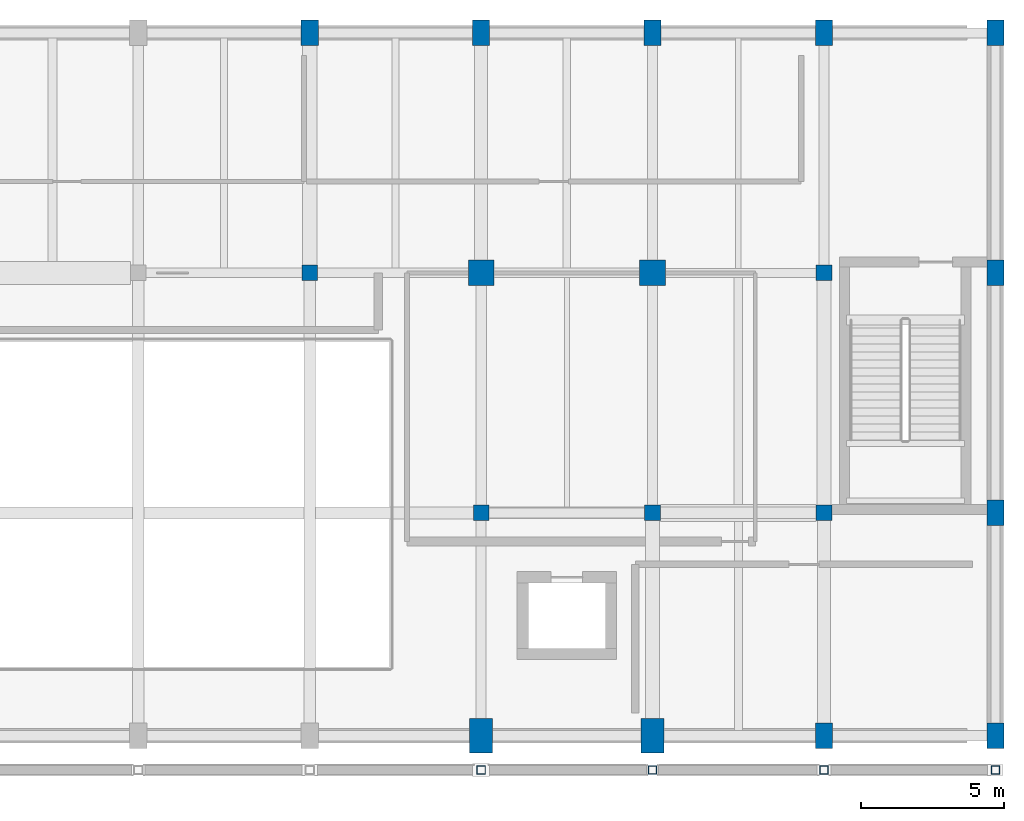
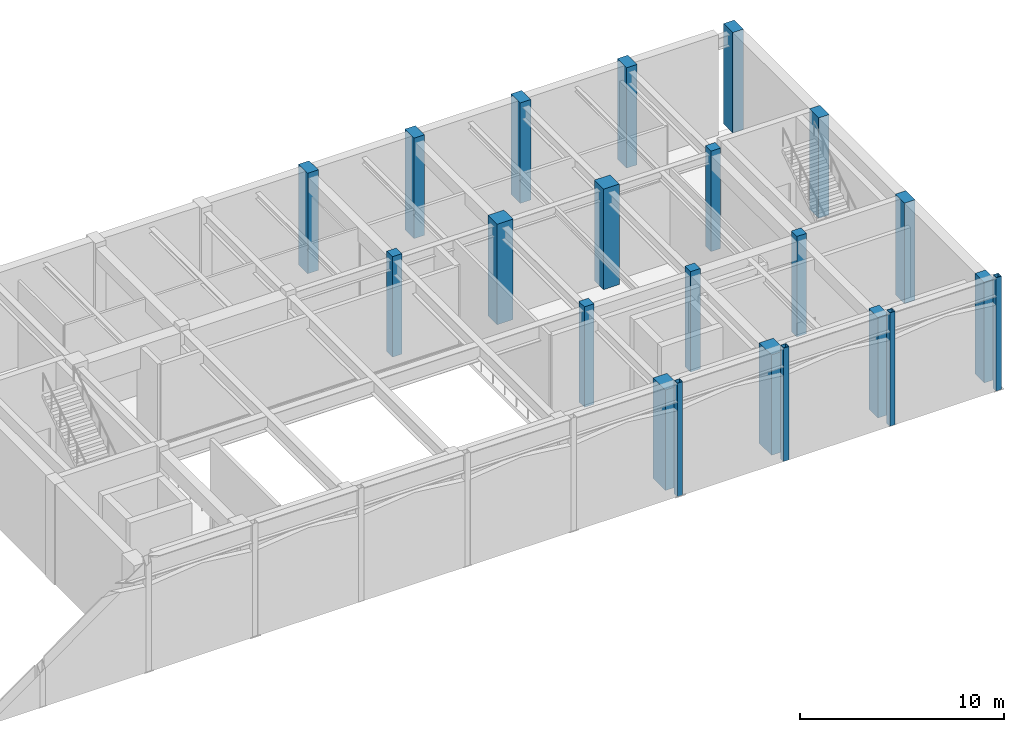
# One storey, part 2 of 8: 22 columns.
"""IFC4 building model written with IfcOpenShell, lengths in metres."""

from ifc_helpers import new_model, si_unit, direction, frame, origin, origin_2d, place, context, subcontext, project, spatial, rectangle, hollow_rectangle, extrude, material, material_profile, profile_set, type_object, element, save


model = new_model("IFC4")

# Units and contexts
model_context = context("Model", 3, precision=1e-05, world=origin(), true_north=direction((0.0, 1.0)))
body_context = subcontext(model_context, "Body", "Model", "MODEL_VIEW")
ifc_project = project(units=[si_unit("LENGTHUNIT", "METRE"), si_unit("AREAUNIT", "SQUARE_METRE"), si_unit("VOLUMEUNIT", "CUBIC_METRE"), si_unit("PLANEANGLEUNIT", "RADIAN"), si_unit("MASSUNIT", "GRAM", prefix="KILO")], contexts=[model_context])

# Site, building, storey
site_placement = place(None, origin())
site = spatial("IfcSite", under=ifc_project, at=site_placement, CompositionType="ELEMENT")
building_placement = place(site_placement, origin())
building = spatial("IfcBuilding", under=site, at=building_placement, Name="Vaelkrest Opera House", CompositionType="ELEMENT")
storey_placement = place(building_placement, frame((0.0, 0.0, 30.0)))
storey = spatial("IfcBuildingStorey", under=building, at=storey_placement, Name="L06", CompositionType="ELEMENT", Elevation=30.0)

# Columns
ifc_material_1 = material(Name="Concrete C50/60", Category="concrete")
ifc_material_profile_1 = material_profile(ifc_material_1, rectangle(XDim=0.89990234375, YDim=0.89990234375, at=origin_2d()), Name="RC900X900")
ifc_profile_set_1 = profile_set([ifc_material_profile_1], Name="Concrete C50/60")
column_type_1 = type_object("IfcColumnType", Name="C05", PredefinedType="COLUMN", material=ifc_profile_set_1)
for number, where, z_axis, x_axis, name in (
    (1, (12.0, 33.60009765625, 0.0), (0.0, 0.0, 1.0), (1.0, 0.0, 0.0), "Column COL-V2-L06-0777"),
    (2, (18.0, 33.60009765625, 0.0), (0.0, 0.0, 1.0), (1.0, 0.0, 0.0), "Column COL-V2-L06-0781"),
):
    element("IfcColumn", number, at=place(storey_placement, frame(where, z_axis=z_axis, x_axis=x_axis)), inside=storey, type_object=column_type_1, Name=name, PredefinedType="COLUMN", context=body_context, shape_type="SweptSolid", body=[
        extrude(rectangle(XDim=0.89990234375, YDim=0.89990234375, at=origin_2d()), origin(), (0.0, 0.0, 1.0), 6.0),
    ])
ifc_material_profile_2 = material_profile(ifc_material_1, rectangle(XDim=0.60009765625, YDim=0.89990234375, at=origin_2d()), Name="RC600X900")
ifc_profile_set_2 = profile_set([ifc_material_profile_2], Name="Concrete C50/60")
column_type_2 = type_object("IfcColumnType", Name="C06", PredefinedType="COLUMN", material=ifc_profile_set_2)
for number, where, z_axis, x_axis, name in (
    (3, (6.0, 42.0, 0.0), (0.0, 0.0, 1.0), (1.0, 0.0, 0.0), "Column COL-V2-L06-0774"),
    (4, (12.0, 42.0, 0.0), (0.0, 0.0, 1.0), (1.0, 0.0, 0.0), "Column COL-V2-L06-0778"),
    (5, (18.0, 42.0, 0.0), (0.0, 0.0, 1.0), (1.0, 0.0, 0.0), "Column COL-V2-L06-0782"),
    (6, (24.0, 17.39990234375, 0.0), (0.0, 0.0, 1.0), (1.0, 0.0, 0.0), "Column COL-V2-L06-0783"),
    (7, (24.0, 42.0, 0.0), (0.0, 0.0, 1.0), (1.0, 0.0, 0.0), "Column COL-V2-L06-0786"),
    (8, (30.0, 17.39990234375, 0.0), (0.0, 0.0, 1.0), (1.0, 0.0, 0.0), "Column COL-V2-L06-0787"),
    (9, (30.0, 25.199951171875, 0.0), (0.0, 0.0, 1.0), (1.0, 0.0, 0.0), "Column COL-V2-L06-0788"),
    (10, (30.0, 33.60009765625, 0.0), (0.0, 0.0, 1.0), (1.0, 0.0, 0.0), "Column COL-V2-L06-0789"),
    (11, (30.0, 42.0, 0.0), (0.0, 0.0, 1.0), (1.0, 0.0, 0.0), "Column COL-V2-L06-0790"),
):
    element("IfcColumn", number, at=place(storey_placement, frame(where, z_axis=z_axis, x_axis=x_axis)), inside=storey, type_object=column_type_2, Name=name, PredefinedType="COLUMN", context=body_context, shape_type="SweptSolid", body=[
        extrude(rectangle(XDim=0.60009765625, YDim=0.89990234375, at=origin_2d()), origin(), (0.0, 0.0, 1.0), 6.0),
    ])
ifc_material_profile_3 = material_profile(ifc_material_1, rectangle(XDim=0.800048828125, YDim=1.199951171875, at=origin_2d()), Name="RC800X1200")
ifc_profile_set_3 = profile_set([ifc_material_profile_3], Name="Concrete C50/60")
column_type_3 = type_object("IfcColumnType", Name="C08", PredefinedType="COLUMN", material=ifc_profile_set_3)
for number, where, z_axis, x_axis, name in (
    (12, (12.0, 17.39990234375, 0.0), (0.0, 0.0, 1.0), (1.0, 0.0, 0.0), "Column COL-V2-L06-0775"),
    (13, (18.0, 17.39990234375, 0.0), (0.0, 0.0, 1.0), (1.0, 0.0, 0.0), "Column COL-V2-L06-0779"),
):
    element("IfcColumn", number, at=place(storey_placement, frame(where, z_axis=z_axis, x_axis=x_axis)), inside=storey, type_object=column_type_3, Name=name, PredefinedType="COLUMN", context=body_context, shape_type="SweptSolid", body=[
        extrude(rectangle(XDim=0.800048828125, YDim=1.199951171875, at=origin_2d()), origin(), (0.0, 0.0, 1.0), 6.0),
    ])
ifc_material_2 = material(Name="Steel A500 GrC", Category="steel")
ifc_material_profile_4 = material_profile(ifc_material_2, hollow_rectangle(XDim=0.304931640625, YDim=0.304931640625, WallThickness=0.015869140625, at=origin_2d()), Name="HSS305X305X15.9")
ifc_profile_set_4 = profile_set([ifc_material_profile_4], Name="Steel A500 GrC")
column_type_4 = type_object("IfcColumnType", Name="C12", PredefinedType="COLUMN", material=ifc_profile_set_4)
for number, where, z_axis, x_axis, name in (
    (14, (12.0, 16.199951171875, 0.0), (0.0, 0.0, 1.0), (1.0, 0.0, 0.0), "Roof fold pier post V1-N-07"),
    (15, (18.0, 16.199951171875, 0.0), (0.0, 0.0, 1.0), (1.0, 0.0, 0.0), "Roof fold pier post V1-N-08"),
    (16, (24.0, 16.199951171875, 0.0), (0.0, 0.0, 1.0), (1.0, 0.0, 0.0), "Roof fold pier post V1-N-09"),
    (17, (30.0, 16.199951171875, 0.0), (0.0, 0.0, 1.0), (1.0, 0.0, 0.0), "Roof fold pier post V1-N-10"),
):
    element("IfcColumn", number, at=place(storey_placement, frame(where, z_axis=z_axis, x_axis=x_axis)), inside=storey, type_object=column_type_4, Name=name, PredefinedType="COLUMN", context=body_context, shape_type="SweptSolid", body=[
        extrude(hollow_rectangle(XDim=0.304931640625, YDim=0.304931640625, WallThickness=0.015869140625, at=origin_2d()), origin(), (0.0, 0.0, 1.0), 6.77392578125),
    ])
ifc_material_profile_5 = material_profile(ifc_material_1, rectangle(XDim=0.550048828125, YDim=0.550048828125, at=origin_2d()), Name="RC550X550")
ifc_profile_set_5 = profile_set([ifc_material_profile_5], Name="Concrete C50/60")
column_type_5 = type_object("IfcColumnType", Name="C13", PredefinedType="COLUMN", material=ifc_profile_set_5)
for number, where, z_axis, x_axis, name in (
    (18, (6.0, 33.60009765625, 0.0), (0.0, 0.0, 1.0), (1.0, 0.0, 0.0), "Column COL-V2-L06-0773"),
    (19, (12.0, 25.199951171875, 0.0), (0.0, 0.0, 1.0), (1.0, 0.0, 0.0), "Column COL-V2-L06-0776"),
    (20, (18.0, 25.199951171875, 0.0), (0.0, 0.0, 1.0), (1.0, 0.0, 0.0), "Column COL-V2-L06-0780"),
    (21, (24.0, 25.199951171875, 0.0), (0.0, 0.0, 1.0), (1.0, 0.0, 0.0), "Column COL-V2-L06-0784"),
    (22, (24.0, 33.60009765625, 0.0), (0.0, 0.0, 1.0), (1.0, 0.0, 0.0), "Column COL-V2-L06-0785"),
):
    element("IfcColumn", number, at=place(storey_placement, frame(where, z_axis=z_axis, x_axis=x_axis)), inside=storey, type_object=column_type_5, Name=name, PredefinedType="COLUMN", context=body_context, shape_type="SweptSolid", body=[
        extrude(rectangle(XDim=0.550048828125, YDim=0.550048828125, at=origin_2d()), origin(), (0.0, 0.0, 1.0), 6.0),
    ])

save(model, "model.ifc")
